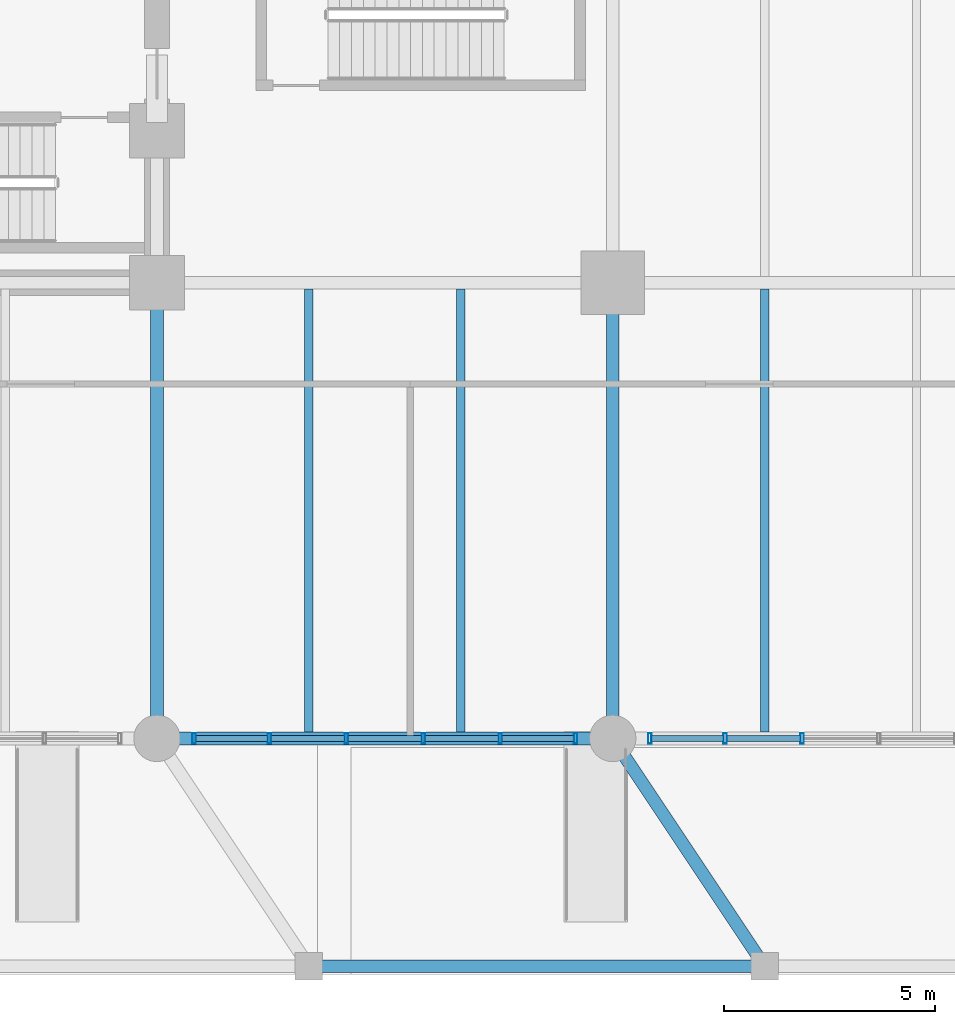
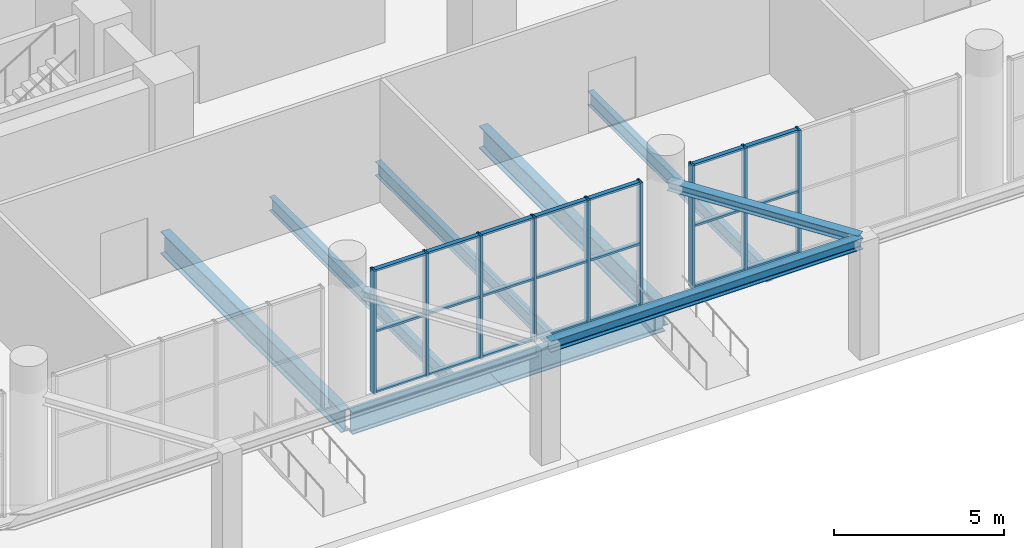
# One storey, part 7 of 22: 30 members, 8 beams, 2 elements without a shape of their own.
"""IFC4 building model written with IfcOpenShell, lengths in metres."""

from ifc_helpers import new_model, si_unit, direction, frame, origin, origin_2d, place, context, subcontext, project, spatial, hollow_rectangle, i_section, extrude, material, layer, layer_set, material_profile, profile_set, type_object, element, aggregate, save


model = new_model("IFC4")

# Units and contexts
model_context = context("Model", 3, precision=1e-05, world=origin(), true_north=direction((0.0, 1.0)))
body_context = subcontext(model_context, "Body", "Model", "MODEL_VIEW")
ifc_project = project(units=[si_unit("LENGTHUNIT", "METRE"), si_unit("AREAUNIT", "SQUARE_METRE"), si_unit("VOLUMEUNIT", "CUBIC_METRE"), si_unit("PLANEANGLEUNIT", "RADIAN"), si_unit("MASSUNIT", "GRAM", prefix="KILO")], contexts=[model_context])

# Site, building, storey
site_placement = place(None, origin())
site = spatial("IfcSite", under=ifc_project, at=site_placement, CompositionType="ELEMENT")
building_placement = place(site_placement, origin())
building = spatial("IfcBuilding", under=site, at=building_placement, Name="Solnavia Interchange Tower", CompositionType="ELEMENT")
storey_placement = place(building_placement, origin())
storey = spatial("IfcBuildingStorey", under=building, at=storey_placement, Name="L00", CompositionType="ELEMENT", Elevation=0.0)

# Beams
ifc_material_1 = material(Name="Steel S460", Category="steel")
ifc_material_profile_1 = material_profile(ifc_material_1, i_section(OverallWidth=0.300048828125, OverallDepth=0.800048828125, WebThickness=0.017578125, FlangeThickness=0.032958984375, FilletRadius=0.030029296875, at=origin_2d()), Name="HEB 800")
ifc_profile_set_1 = profile_set([ifc_material_profile_1], Name="Steel S460")
beam_type_1 = type_object("IfcBeamType", Name="Beam-Girder-HEB800", PredefinedType="BEAM", material=ifc_profile_set_1)
beam_1_placement = place(storey_placement, frame((32.5, 0.0, -0.75), z_axis=(1.0, 0.0, 0.0), x_axis=(0.0, 1.0, 0.0)))
element("IfcBeam", 1, at=beam_1_placement, inside=storey, type_object=beam_type_1, Name="GRD-L00-04 Podium primary girder", PredefinedType="BEAM", context=body_context, shape_type="SweptSolid", body=[
    extrude(i_section(OverallWidth=0.300048828125, OverallDepth=0.800048828125, WebThickness=0.017578125, FlangeThickness=0.032958984375, FilletRadius=0.030029296875, at=origin_2d()), origin(), (0.0, 0.0, 1.0), 10.60009765625),
])
for number, where, z_axis, x_axis, name in (
    (2, (32.39990234375, 0.10009765625, -0.75), (0.0, 1.0, 0.0), (-1.0, 0.0, 0.0), "GRD-L00-56 Podium primary girder"),
    (3, (43.199951171875, 0.10009765625, -0.75), (0.0, 1.0, 0.0), (-1.0, 0.0, 0.0), "GRD-L00-61 Podium primary girder"),
):
    element("IfcBeam", number, at=place(storey_placement, frame(where, z_axis=z_axis, x_axis=x_axis)), inside=storey, type_object=beam_type_1, Name=name, PredefinedType="BEAM", context=body_context, shape_type="SweptSolid", body=[
        extrude(i_section(OverallWidth=0.300048828125, OverallDepth=0.800048828125, WebThickness=0.017578125, FlangeThickness=0.032958984375, FilletRadius=0.030029296875, at=origin_2d()), origin(), (0.0, 0.0, 1.0), 10.599853515625),
    ])
ifc_material_2 = material(Name="Steel S355", Category="steel")
ifc_material_profile_2 = material_profile(ifc_material_2, i_section(OverallWidth=0.199951171875, OverallDepth=0.5, WebThickness=0.01025390625, FlangeThickness=0.01611328125, FilletRadius=0.02099609375, at=origin_2d()), Name="IPE 500")
ifc_profile_set_2 = profile_set([ifc_material_profile_2], Name="Steel S355")
beam_type_2 = type_object("IfcBeamType", Name="Beam-Joist-IPE500", PredefinedType="JOIST", material=ifc_profile_set_2)
for number, where, z_axis, x_axis, name in (
    (4, (36.0, 0.14990234375, -0.60009765625), (0.0, 1.0, 0.0), (-1.0, 0.0, 0.0), "JST-L00-21 Podium composite floor joist"),
    (5, (39.60009765625, 0.14990234375, -0.60009765625), (0.0, 1.0, 0.0), (-1.0, 0.0, 0.0), "JST-L00-24 Podium composite floor joist"),
    (6, (46.800048828125, 0.14990234375, -0.60009765625), (0.0, 1.0, 0.0), (-1.0, 0.0, 0.0), "JST-L00-27 Podium composite floor joist"),
):
    element("IfcBeam", number, at=place(storey_placement, frame(where, z_axis=z_axis, x_axis=x_axis)), inside=storey, type_object=beam_type_2, Name=name, PredefinedType="JOIST", context=body_context, shape_type="SweptSolid", body=[
        extrude(i_section(OverallWidth=0.199951171875, OverallDepth=0.5, WebThickness=0.01025390625, FlangeThickness=0.01611328125, FilletRadius=0.02099609375, at=origin_2d()), origin(), (0.0, 0.0, 1.0), 10.5),
    ])
ifc_material_profile_3 = material_profile(ifc_material_2, i_section(OverallWidth=0.300048828125, OverallDepth=0.31005859375, WebThickness=0.009033203125, FlangeThickness=0.015380859375, FilletRadius=0.027099609375, at=origin_2d()), Name="HEA 320")
ifc_profile_set_3 = profile_set([ifc_material_profile_3], Name="Steel S355")
beam_type_3 = type_object("IfcBeamType", Name="Beam-Primary-HEA320", PredefinedType="BEAM", material=ifc_profile_set_3)
beam_2_placement = place(storey_placement, frame((46.744384765625, -5.31689453125, 4.044921875), z_axis=(-0.554664366608, 0.832074179635, 0.0), x_axis=(-0.832074179635, -0.554664366608, 0.0)))
element("IfcBeam", 7, at=beam_2_placement, inside=storey, type_object=beam_type_3, Name="GRD-L00-CANT4 Promenade canopy tie beam", PredefinedType="BEAM", context=body_context, shape_type="SweptSolid", body=[
    extrude(i_section(OverallWidth=0.300048828125, OverallDepth=0.31005859375, WebThickness=0.009033203125, FlangeThickness=0.015380859375, FilletRadius=0.027099609375, at=origin_2d()), origin(), (0.0, 0.0, 1.0), 6.289794921875),
])
ifc_material_profile_4 = material_profile(ifc_material_2, i_section(OverallWidth=0.300048828125, OverallDepth=0.389892578125, WebThickness=0.010986328125, FlangeThickness=0.01904296875, FilletRadius=0.027099609375, at=origin_2d()), Name="HEA 400")
ifc_profile_set_4 = profile_set([ifc_material_profile_4], Name="Steel S355")
beam_type_4 = type_object("IfcBeamType", Name="Beam-Primary-HEA400", PredefinedType="BEAM", material=ifc_profile_set_4)
beam_3_placement = place(storey_placement, frame((36.10009765625, -5.39990234375, 4.0048828125), z_axis=(1.0, 0.0, 0.0), x_axis=(0.0, 1.0, 0.0)))
element("IfcBeam", 8, at=beam_3_placement, inside=storey, type_object=beam_type_4, Name="GRD-L00-CAN3 Promenade canopy girder", PredefinedType="BEAM", context=body_context, shape_type="SweptSolid", body=[
    extrude(i_section(OverallWidth=0.300048828125, OverallDepth=0.389892578125, WebThickness=0.010986328125, FlangeThickness=0.01904296875, FilletRadius=0.027099609375, at=origin_2d()), origin(), (0.0, 0.0, 1.0), 10.599853515625),
])

# Curtain wall, members
ifc_material_3 = material(Name="Aluminium Alloy 6063-T6", Category="aluminium")
ifc_layer = layer(ifc_material_3, 0.27001953125)
ifc_layer_set = layer_set([ifc_layer], Name="Aluminium Alloy 6063-T6")
curtain_wall_type = type_object("IfcCurtainWallType", Name="CurtainWall-Podium-CTW1", PredefinedType="NOTDEFINED", material=ifc_layer_set)
curtain_wall_1_placement = place(storey_placement, origin())
curtain_wall_1 = element("IfcCurtainWall", 9, at=curtain_wall_1_placement, inside=storey, type_object=curtain_wall_type, Name="CTW-L00-S03 CTW-1 curtain wall", PredefinedType="NOTDEFINED")
ifc_material_profile_5 = material_profile(ifc_material_3, hollow_rectangle(XDim=0.080078125, YDim=0.25, WallThickness=0.006103515625, at=origin_2d()), Name="ALU 250x80x6")
ifc_profile_set_5 = profile_set([ifc_material_profile_5], Name="Aluminium Alloy 6063-T6")
member_type_1 = type_object("IfcMemberType", Name="CW-Mullion-CWM-1", PredefinedType="MULLION", material=ifc_profile_set_5)
member_1_placement = place(storey_placement, frame((42.320068359375, 0.0, 0.0), z_axis=(0.0, 0.0, 1.0), x_axis=(-1.0, 0.0, 0.0)))
member_1 = element("IfcMember", 10, at=member_1_placement, type_object=member_type_1, Name="CTW-1 mullion 1", PredefinedType="MULLION", context=body_context, shape_type="SweptSolid", body=[
    extrude(hollow_rectangle(XDim=0.080078125, YDim=0.25, WallThickness=0.006103515625, at=origin_2d()), origin(), (0.0, 0.0, 1.0), 4.429931640625),
])
member_2_placement = place(storey_placement, frame((40.535888671875, 0.0, 0.0), z_axis=(0.0, 0.0, 1.0), x_axis=(-1.0, 0.0, 0.0)))
member_2 = element("IfcMember", 11, at=member_2_placement, type_object=member_type_1, Name="CTW-1 mullion 2", PredefinedType="MULLION", context=body_context, shape_type="SweptSolid", body=[
    extrude(hollow_rectangle(XDim=0.080078125, YDim=0.25, WallThickness=0.006103515625, at=origin_2d()), origin(), (0.0, 0.0, 1.0), 4.429931640625),
])
member_3_placement = place(storey_placement, frame((38.7119140625, 0.0, 0.0), z_axis=(0.0, 0.0, 1.0), x_axis=(-1.0, 0.0, 0.0)))
member_3 = element("IfcMember", 12, at=member_3_placement, type_object=member_type_1, Name="CTW-1 mullion 3", PredefinedType="MULLION", context=body_context, shape_type="SweptSolid", body=[
    extrude(hollow_rectangle(XDim=0.080078125, YDim=0.25, WallThickness=0.006103515625, at=origin_2d()), origin(), (0.0, 0.0, 1.0), 4.429931640625),
])
member_4_placement = place(storey_placement, frame((36.887939453125, 0.0, 0.0), z_axis=(0.0, 0.0, 1.0), x_axis=(-1.0, 0.0, 0.0)))
member_4 = element("IfcMember", 13, at=member_4_placement, type_object=member_type_1, Name="CTW-1 mullion 4", PredefinedType="MULLION", context=body_context, shape_type="SweptSolid", body=[
    extrude(hollow_rectangle(XDim=0.080078125, YDim=0.25, WallThickness=0.006103515625, at=origin_2d()), origin(), (0.0, 0.0, 1.0), 4.429931640625),
])
member_5_placement = place(storey_placement, frame((35.06396484375, 0.0, 0.0), z_axis=(0.0, 0.0, 1.0), x_axis=(-1.0, 0.0, 0.0)))
member_5 = element("IfcMember", 14, at=member_5_placement, type_object=member_type_1, Name="CTW-1 mullion 5", PredefinedType="MULLION", context=body_context, shape_type="SweptSolid", body=[
    extrude(hollow_rectangle(XDim=0.080078125, YDim=0.25, WallThickness=0.006103515625, at=origin_2d()), origin(), (0.0, 0.0, 1.0), 4.429931640625),
])
member_6_placement = place(storey_placement, frame((33.280029296875, 0.0, 0.0), z_axis=(0.0, 0.0, 1.0), x_axis=(-1.0, 0.0, 0.0)))
member_6 = element("IfcMember", 15, at=member_6_placement, type_object=member_type_1, Name="CTW-1 mullion 6", PredefinedType="MULLION", context=body_context, shape_type="SweptSolid", body=[
    extrude(hollow_rectangle(XDim=0.080078125, YDim=0.25, WallThickness=0.006103515625, at=origin_2d()), origin(), (0.0, 0.0, 1.0), 4.429931640625),
])

curtain_wall_2_placement = place(storey_placement, origin())
curtain_wall_2 = element("IfcCurtainWall", 16, at=curtain_wall_2_placement, inside=storey, type_object=curtain_wall_type, Name="CTW-L00-S04 CTW-1 curtain wall", PredefinedType="NOTDEFINED")
member_7_placement = place(storey_placement, frame((47.68798828125, 0.0, 0.0), z_axis=(0.0, 0.0, 1.0), x_axis=(-1.0, 0.0, 0.0)))
member_7 = element("IfcMember", 17, at=member_7_placement, type_object=member_type_1, Name="CTW-1 mullion 4", PredefinedType="MULLION", context=body_context, shape_type="SweptSolid", body=[
    extrude(hollow_rectangle(XDim=0.080078125, YDim=0.25, WallThickness=0.006103515625, at=origin_2d()), origin(), (0.0, 0.0, 1.0), 4.429931640625),
])
member_8_placement = place(storey_placement, frame((45.864013671875, 0.0, 0.0), z_axis=(0.0, 0.0, 1.0), x_axis=(-1.0, 0.0, 0.0)))
member_8 = element("IfcMember", 18, at=member_8_placement, type_object=member_type_1, Name="CTW-1 mullion 5", PredefinedType="MULLION", context=body_context, shape_type="SweptSolid", body=[
    extrude(hollow_rectangle(XDim=0.080078125, YDim=0.25, WallThickness=0.006103515625, at=origin_2d()), origin(), (0.0, 0.0, 1.0), 4.429931640625),
])
member_9_placement = place(storey_placement, frame((44.080078125, 0.0, 0.0), z_axis=(0.0, 0.0, 1.0), x_axis=(-1.0, 0.0, 0.0)))
member_9 = element("IfcMember", 19, at=member_9_placement, type_object=member_type_1, Name="CTW-1 mullion 6", PredefinedType="MULLION", context=body_context, shape_type="SweptSolid", body=[
    extrude(hollow_rectangle(XDim=0.080078125, YDim=0.25, WallThickness=0.006103515625, at=origin_2d()), origin(), (0.0, 0.0, 1.0), 4.429931640625),
])

# Member
ifc_material_profile_6 = material_profile(ifc_material_3, hollow_rectangle(XDim=0.070068359375, YDim=0.14990234375, WallThickness=0.00439453125, at=origin_2d()), Name="ALU 150x70x4.5")
ifc_profile_set_6 = profile_set([ifc_material_profile_6], Name="Aluminium Alloy 6063-T6")
member_type_2 = type_object("IfcMemberType", Name="CW-Transom-CWT-1", PredefinedType="USERDEFINED", material=ifc_profile_set_6)
member_10_placement = place(storey_placement, frame((42.280029296875, 0.0, 0.034912109375), z_axis=(-1.0, 0.0, 0.0), x_axis=(0.0, 0.0, 1.0)))
member_10 = element("IfcMember", 20, at=member_10_placement, type_object=member_type_2, Name="CTW-1 transom 1.1", ObjectType="TRANSOM", PredefinedType="USERDEFINED", context=body_context, shape_type="SweptSolid", body=[
    extrude(hollow_rectangle(XDim=0.070068359375, YDim=0.14990234375, WallThickness=0.00439453125, at=origin_2d()), origin(), (0.0, 0.0, 1.0), 1.7041015625),
])

member_11_placement = place(storey_placement, frame((42.280029296875, 0.0, 2.215087890625), z_axis=(-1.0, 0.0, 0.0), x_axis=(0.0, 0.0, 1.0)))
member_11 = element("IfcMember", 21, at=member_11_placement, type_object=member_type_2, Name="CTW-1 transom 1.2", ObjectType="TRANSOM", PredefinedType="USERDEFINED", context=body_context, shape_type="SweptSolid", body=[
    extrude(hollow_rectangle(XDim=0.070068359375, YDim=0.14990234375, WallThickness=0.00439453125, at=origin_2d()), origin(), (0.0, 0.0, 1.0), 1.7041015625),
])

member_12_placement = place(storey_placement, frame((42.280029296875, 0.0, 4.39501953125), z_axis=(-1.0, 0.0, 0.0), x_axis=(0.0, 0.0, 1.0)))
member_12 = element("IfcMember", 22, at=member_12_placement, type_object=member_type_2, Name="CTW-1 transom 1.3", ObjectType="TRANSOM", PredefinedType="USERDEFINED", context=body_context, shape_type="SweptSolid", body=[
    extrude(hollow_rectangle(XDim=0.070068359375, YDim=0.14990234375, WallThickness=0.00439453125, at=origin_2d()), origin(), (0.0, 0.0, 1.0), 1.7041015625),
])

member_13_placement = place(storey_placement, frame((40.49609375, 0.0, 0.034912109375), z_axis=(-1.0, 0.0, 0.0), x_axis=(0.0, 0.0, 1.0)))
member_13 = element("IfcMember", 23, at=member_13_placement, type_object=member_type_2, Name="CTW-1 transom 2.1", ObjectType="TRANSOM", PredefinedType="USERDEFINED", context=body_context, shape_type="SweptSolid", body=[
    extrude(hollow_rectangle(XDim=0.070068359375, YDim=0.14990234375, WallThickness=0.00439453125, at=origin_2d()), origin(), (0.0, 0.0, 1.0), 1.744140625),
])

member_14_placement = place(storey_placement, frame((40.49609375, 0.0, 2.215087890625), z_axis=(-1.0, 0.0, 0.0), x_axis=(0.0, 0.0, 1.0)))
member_14 = element("IfcMember", 24, at=member_14_placement, type_object=member_type_2, Name="CTW-1 transom 2.2", ObjectType="TRANSOM", PredefinedType="USERDEFINED", context=body_context, shape_type="SweptSolid", body=[
    extrude(hollow_rectangle(XDim=0.070068359375, YDim=0.14990234375, WallThickness=0.00439453125, at=origin_2d()), origin(), (0.0, 0.0, 1.0), 1.744140625),
])

member_15_placement = place(storey_placement, frame((40.49609375, 0.0, 4.39501953125), z_axis=(-1.0, 0.0, 0.0), x_axis=(0.0, 0.0, 1.0)))
member_15 = element("IfcMember", 25, at=member_15_placement, type_object=member_type_2, Name="CTW-1 transom 2.3", ObjectType="TRANSOM", PredefinedType="USERDEFINED", context=body_context, shape_type="SweptSolid", body=[
    extrude(hollow_rectangle(XDim=0.070068359375, YDim=0.14990234375, WallThickness=0.00439453125, at=origin_2d()), origin(), (0.0, 0.0, 1.0), 1.744140625),
])

member_16_placement = place(storey_placement, frame((38.672119140625, 0.0, 0.034912109375), z_axis=(-1.0, 0.0, 0.0), x_axis=(0.0, 0.0, 1.0)))
member_16 = element("IfcMember", 26, at=member_16_placement, type_object=member_type_2, Name="CTW-1 transom 3.1", ObjectType="TRANSOM", PredefinedType="USERDEFINED", context=body_context, shape_type="SweptSolid", body=[
    extrude(hollow_rectangle(XDim=0.070068359375, YDim=0.14990234375, WallThickness=0.00439453125, at=origin_2d()), origin(), (0.0, 0.0, 1.0), 1.744140625),
])

member_17_placement = place(storey_placement, frame((38.672119140625, 0.0, 2.215087890625), z_axis=(-1.0, 0.0, 0.0), x_axis=(0.0, 0.0, 1.0)))
member_17 = element("IfcMember", 27, at=member_17_placement, type_object=member_type_2, Name="CTW-1 transom 3.2", ObjectType="TRANSOM", PredefinedType="USERDEFINED", context=body_context, shape_type="SweptSolid", body=[
    extrude(hollow_rectangle(XDim=0.070068359375, YDim=0.14990234375, WallThickness=0.00439453125, at=origin_2d()), origin(), (0.0, 0.0, 1.0), 1.744140625),
])

member_18_placement = place(storey_placement, frame((38.672119140625, 0.0, 4.39501953125), z_axis=(-1.0, 0.0, 0.0), x_axis=(0.0, 0.0, 1.0)))
member_18 = element("IfcMember", 28, at=member_18_placement, type_object=member_type_2, Name="CTW-1 transom 3.3", ObjectType="TRANSOM", PredefinedType="USERDEFINED", context=body_context, shape_type="SweptSolid", body=[
    extrude(hollow_rectangle(XDim=0.070068359375, YDim=0.14990234375, WallThickness=0.00439453125, at=origin_2d()), origin(), (0.0, 0.0, 1.0), 1.744140625),
])

member_19_placement = place(storey_placement, frame((36.847900390625, 0.0, 0.034912109375), z_axis=(-1.0, 0.0, 0.0), x_axis=(0.0, 0.0, 1.0)))
member_19 = element("IfcMember", 29, at=member_19_placement, type_object=member_type_2, Name="CTW-1 transom 4.1", ObjectType="TRANSOM", PredefinedType="USERDEFINED", context=body_context, shape_type="SweptSolid", body=[
    extrude(hollow_rectangle(XDim=0.070068359375, YDim=0.14990234375, WallThickness=0.00439453125, at=origin_2d()), origin(), (0.0, 0.0, 1.0), 1.743896484375),
])

member_20_placement = place(storey_placement, frame((36.847900390625, 0.0, 2.215087890625), z_axis=(-1.0, 0.0, 0.0), x_axis=(0.0, 0.0, 1.0)))
member_20 = element("IfcMember", 30, at=member_20_placement, type_object=member_type_2, Name="CTW-1 transom 4.2", ObjectType="TRANSOM", PredefinedType="USERDEFINED", context=body_context, shape_type="SweptSolid", body=[
    extrude(hollow_rectangle(XDim=0.070068359375, YDim=0.14990234375, WallThickness=0.00439453125, at=origin_2d()), origin(), (0.0, 0.0, 1.0), 1.743896484375),
])

member_21_placement = place(storey_placement, frame((36.847900390625, 0.0, 4.39501953125), z_axis=(-1.0, 0.0, 0.0), x_axis=(0.0, 0.0, 1.0)))
member_21 = element("IfcMember", 31, at=member_21_placement, type_object=member_type_2, Name="CTW-1 transom 4.3", ObjectType="TRANSOM", PredefinedType="USERDEFINED", context=body_context, shape_type="SweptSolid", body=[
    extrude(hollow_rectangle(XDim=0.070068359375, YDim=0.14990234375, WallThickness=0.00439453125, at=origin_2d()), origin(), (0.0, 0.0, 1.0), 1.743896484375),
])

member_22_placement = place(storey_placement, frame((35.02392578125, 0.0, 0.034912109375), z_axis=(-1.0, 0.0, 0.0), x_axis=(0.0, 0.0, 1.0)))
member_22 = element("IfcMember", 32, at=member_22_placement, type_object=member_type_2, Name="CTW-1 transom 5.1", ObjectType="TRANSOM", PredefinedType="USERDEFINED", context=body_context, shape_type="SweptSolid", body=[
    extrude(hollow_rectangle(XDim=0.070068359375, YDim=0.14990234375, WallThickness=0.00439453125, at=origin_2d()), origin(), (0.0, 0.0, 1.0), 1.703857421875),
])

member_23_placement = place(storey_placement, frame((35.02392578125, 0.0, 2.215087890625), z_axis=(-1.0, 0.0, 0.0), x_axis=(0.0, 0.0, 1.0)))
member_23 = element("IfcMember", 33, at=member_23_placement, type_object=member_type_2, Name="CTW-1 transom 5.2", ObjectType="TRANSOM", PredefinedType="USERDEFINED", context=body_context, shape_type="SweptSolid", body=[
    extrude(hollow_rectangle(XDim=0.070068359375, YDim=0.14990234375, WallThickness=0.00439453125, at=origin_2d()), origin(), (0.0, 0.0, 1.0), 1.703857421875),
])

member_24_placement = place(storey_placement, frame((35.02392578125, 0.0, 4.39501953125), z_axis=(-1.0, 0.0, 0.0), x_axis=(0.0, 0.0, 1.0)))
member_24 = element("IfcMember", 34, at=member_24_placement, type_object=member_type_2, Name="CTW-1 transom 5.3", ObjectType="TRANSOM", PredefinedType="USERDEFINED", context=body_context, shape_type="SweptSolid", body=[
    extrude(hollow_rectangle(XDim=0.070068359375, YDim=0.14990234375, WallThickness=0.00439453125, at=origin_2d()), origin(), (0.0, 0.0, 1.0), 1.703857421875),
])

aggregate(curtain_wall_1, [member_1, member_2, member_3, member_4, member_5, member_6, member_10, member_11, member_12, member_13, member_14, member_15, member_16, member_17, member_18, member_19, member_20, member_21, member_22, member_23, member_24])

member_25_placement = place(storey_placement, frame((47.64794921875, 0.0, 0.034912109375), z_axis=(-1.0, 0.0, 0.0), x_axis=(0.0, 0.0, 1.0)))
member_25 = element("IfcMember", 35, at=member_25_placement, type_object=member_type_2, Name="CTW-1 transom 4.1", ObjectType="TRANSOM", PredefinedType="USERDEFINED", context=body_context, shape_type="SweptSolid", body=[
    extrude(hollow_rectangle(XDim=0.070068359375, YDim=0.14990234375, WallThickness=0.00439453125, at=origin_2d()), origin(), (0.0, 0.0, 1.0), 1.743896484375),
])

member_26_placement = place(storey_placement, frame((47.64794921875, 0.0, 2.215087890625), z_axis=(-1.0, 0.0, 0.0), x_axis=(0.0, 0.0, 1.0)))
member_26 = element("IfcMember", 36, at=member_26_placement, type_object=member_type_2, Name="CTW-1 transom 4.2", ObjectType="TRANSOM", PredefinedType="USERDEFINED", context=body_context, shape_type="SweptSolid", body=[
    extrude(hollow_rectangle(XDim=0.070068359375, YDim=0.14990234375, WallThickness=0.00439453125, at=origin_2d()), origin(), (0.0, 0.0, 1.0), 1.743896484375),
])

member_27_placement = place(storey_placement, frame((47.64794921875, 0.0, 4.39501953125), z_axis=(-1.0, 0.0, 0.0), x_axis=(0.0, 0.0, 1.0)))
member_27 = element("IfcMember", 37, at=member_27_placement, type_object=member_type_2, Name="CTW-1 transom 4.3", ObjectType="TRANSOM", PredefinedType="USERDEFINED", context=body_context, shape_type="SweptSolid", body=[
    extrude(hollow_rectangle(XDim=0.070068359375, YDim=0.14990234375, WallThickness=0.00439453125, at=origin_2d()), origin(), (0.0, 0.0, 1.0), 1.743896484375),
])

member_28_placement = place(storey_placement, frame((45.823974609375, 0.0, 0.034912109375), z_axis=(-1.0, 0.0, 0.0), x_axis=(0.0, 0.0, 1.0)))
member_28 = element("IfcMember", 38, at=member_28_placement, type_object=member_type_2, Name="CTW-1 transom 5.1", ObjectType="TRANSOM", PredefinedType="USERDEFINED", context=body_context, shape_type="SweptSolid", body=[
    extrude(hollow_rectangle(XDim=0.070068359375, YDim=0.14990234375, WallThickness=0.00439453125, at=origin_2d()), origin(), (0.0, 0.0, 1.0), 1.703857421875),
])

member_29_placement = place(storey_placement, frame((45.823974609375, 0.0, 2.215087890625), z_axis=(-1.0, 0.0, 0.0), x_axis=(0.0, 0.0, 1.0)))
member_29 = element("IfcMember", 39, at=member_29_placement, type_object=member_type_2, Name="CTW-1 transom 5.2", ObjectType="TRANSOM", PredefinedType="USERDEFINED", context=body_context, shape_type="SweptSolid", body=[
    extrude(hollow_rectangle(XDim=0.070068359375, YDim=0.14990234375, WallThickness=0.00439453125, at=origin_2d()), origin(), (0.0, 0.0, 1.0), 1.703857421875),
])

member_30_placement = place(storey_placement, frame((45.823974609375, 0.0, 4.39501953125), z_axis=(-1.0, 0.0, 0.0), x_axis=(0.0, 0.0, 1.0)))
member_30 = element("IfcMember", 40, at=member_30_placement, type_object=member_type_2, Name="CTW-1 transom 5.3", ObjectType="TRANSOM", PredefinedType="USERDEFINED", context=body_context, shape_type="SweptSolid", body=[
    extrude(hollow_rectangle(XDim=0.070068359375, YDim=0.14990234375, WallThickness=0.00439453125, at=origin_2d()), origin(), (0.0, 0.0, 1.0), 1.703857421875),
])

aggregate(curtain_wall_2, [member_7, member_8, member_9, member_25, member_26, member_27, member_28, member_29, member_30])

save(model, "model.ifc")
